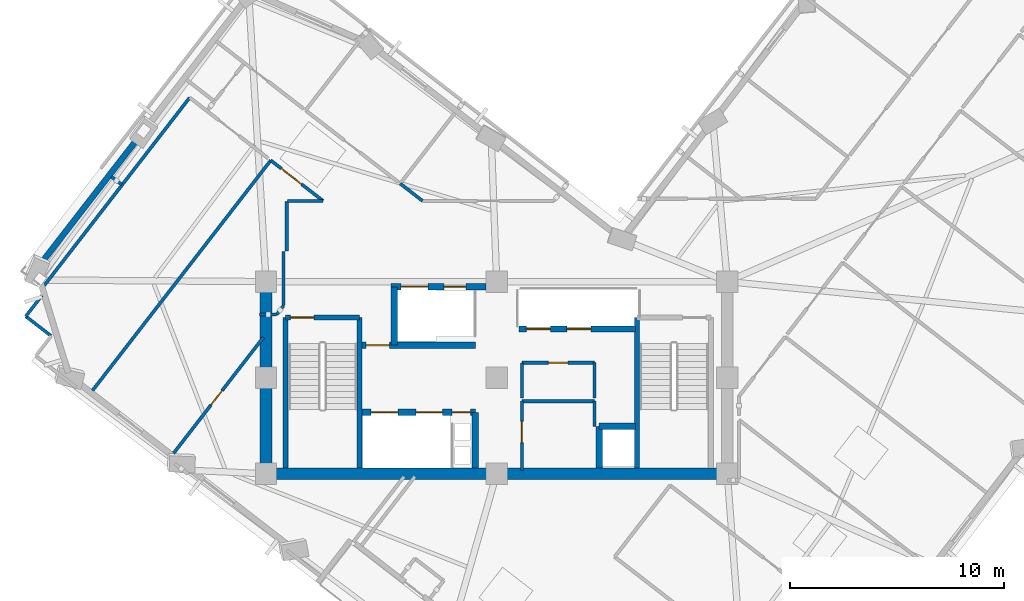
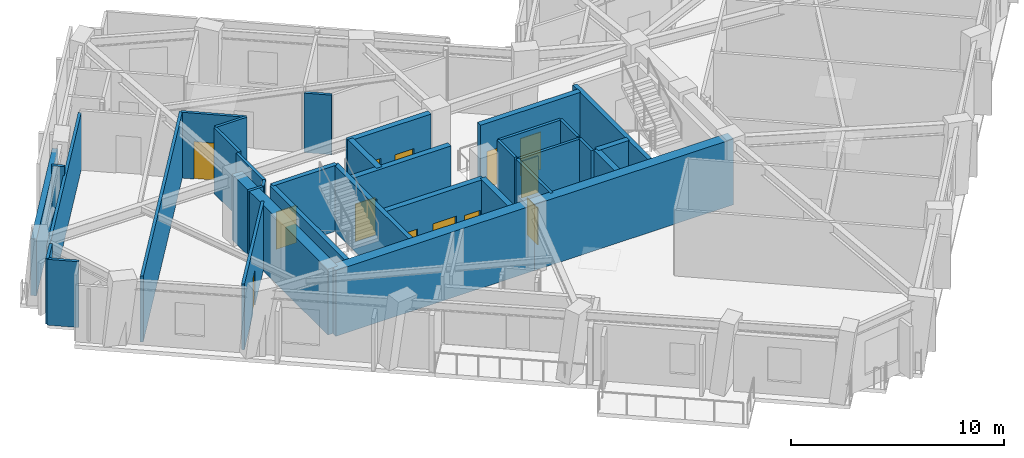
# One storey, part 4 of 12: 35 walls, 13 doors, 13 openings.
"""IFC4 building model written with IfcOpenShell, lengths in metres."""

from ifc_helpers import new_model, si_unit, direction, frame, frame_2d, origin, place, context, subcontext, project, spatial, rectangle, extrude, material, layer, layer_set, type_object, element, fill, save


model = new_model("IFC4")

# Units and contexts
model_context = context("Model", 3, precision=1e-05, world=origin(), true_north=direction((0.0, 1.0)))
body_context = subcontext(model_context, "Body", "Model", "MODEL_VIEW")
ifc_project = project(units=[si_unit("LENGTHUNIT", "METRE"), si_unit("AREAUNIT", "SQUARE_METRE"), si_unit("VOLUMEUNIT", "CUBIC_METRE"), si_unit("PLANEANGLEUNIT", "RADIAN"), si_unit("MASSUNIT", "GRAM", prefix="KILO")], contexts=[model_context])

# Site, building, storey
site_placement = place(None, origin())
site = spatial("IfcSite", under=ifc_project, at=site_placement, CompositionType="ELEMENT")
building_placement = place(site_placement, origin())
building = spatial("IfcBuilding", under=site, at=building_placement, Name="Gaonmaruhae Medical Tower", CompositionType="ELEMENT")
storey_placement = place(building_placement, frame((0.0, 0.0, 247.199951171875)))
storey = spatial("IfcBuildingStorey", under=building, at=storey_placement, Name="L59", CompositionType="ELEMENT", Elevation=247.199951171875)

# Walls
ifc_material_1 = material(Name="Concrete C50/60", Category="concrete")
ifc_layer_1 = layer(ifc_material_1, 0.550048828125)
ifc_layer_set_1 = layer_set([ifc_layer_1], Name="Concrete C50/60")
wall_type_1 = type_object("IfcWallType", Name="CW-550 Mid-High Core Shear Wall", PredefinedType="SHEAR", material=ifc_layer_set_1)
for number, where, z_axis, x_axis, name in (
    (1, (14.0, 7.800048828125, 0.0), (0.0, 0.0, 1.0), (1.0, 0.0, 0.0), "L59 Core Shear Wall CSW-S1"),
    (2, (24.800048828125, 7.800048828125, 0.0), (0.0, 0.0, 1.0), (1.0, 0.0, 0.0), "L59 Core Shear Wall CSW-S2"),
):
    element("IfcWall", number, at=place(storey_placement, frame(where, z_axis=z_axis, x_axis=x_axis)), inside=storey, type_object=wall_type_1, Name=name, PredefinedType="SHEAR", context=body_context, shape_type="SweptSolid", body=[
        extrude(rectangle(XDim=10.800048828125, YDim=0.550048828125, at=frame_2d((5.39990234375, 0.0))), origin(), (0.0, 0.0, 1.0), 3.780029296875),
    ])
wall_1_placement = place(storey_placement, frame((14.0, 16.800048828125, 0.0), z_axis=(0.0, 0.0, 1.0), x_axis=(0.0, -1.0, 0.0)))
element("IfcWall", 3, at=wall_1_placement, inside=storey, type_object=wall_type_1, Name="L59 Core Shear Wall CSW-W1", PredefinedType="SHEAR", context=body_context, shape_type="SweptSolid", body=[
    extrude(rectangle(XDim=9.0, YDim=0.550048828125, at=frame_2d((4.5, 0.0))), origin(), (0.0, 0.0, 1.0), 3.780029296875),
])
ifc_material_2 = material(Name="Precast concrete C45/55", Category="concrete")
ifc_layer_2 = layer(ifc_material_2, 0.280029296875)
ifc_layer_set_2 = layer_set([ifc_layer_2], Name="Precast concrete C45/55")
wall_type_2 = type_object("IfcWallType", Name="EW-280 Upper Precast Masonry-Frame Facade Wall", PredefinedType="SOLIDWALL", material=ifc_layer_set_2)
wall_2_placement = place(storey_placement, frame((3.363525390625, 17.518798828125, 0.0), z_axis=(0.0, 0.0, 1.0), x_axis=(0.612209375749, 0.790695693832, 0.0)))
element("IfcWall", 4, at=wall_2_placement, inside=storey, type_object=wall_type_2, Name="L59 Precast Masonry-Frame Wall N02-N03", PredefinedType="SOLIDWALL", context=body_context, shape_type="SweptSolid", body=[
    extrude(rectangle(XDim=7.48486328125, YDim=0.280029296875, at=frame_2d((3.742431640625, 0.0))), origin(), (0.0, 0.0, 1.0), 3.26513671875),
])

# Wall, opening, door
ifc_material_3 = material(Name="Gypsum board partition", Category="gypsum")
ifc_layer_3 = layer(ifc_material_3, 0.14990234375)
ifc_layer_set_3 = layer_set([ifc_layer_3], Name="Gypsum board partition")
wall_type_3 = type_object("IfcWallType", Name="PW-150 Rated Clinical Corridor Partition", PredefinedType="PARTITIONING", material=ifc_layer_set_3)
wall_3_placement = place(storey_placement, frame((25.97998046875, 7.9599609375, 0.0), z_axis=(0.0, 0.0, 1.0), x_axis=(0.0, 1.0, 0.0)))
wall_3 = element("IfcWall", 5, at=wall_3_placement, inside=storey, type_object=wall_type_3, Name="L59 Interior Partition L59-RCL1-1", PredefinedType="PARTITIONING", context=body_context, shape_type="SweptSolid", body=[
    extrude(rectangle(XDim=3.239990234375, YDim=0.14990234375, at=frame_2d((1.6201171875, 0.0))), origin(), (0.0, 0.0, 1.0), 3.780029296875),
])
opening_1_placement = place(wall_3_placement, frame((1.294921875, 0.0, 0.0)))
opening_1 = element("IfcOpeningElement", 6, at=opening_1_placement, cuts=wall_3, Name="Opening CD-01", PredefinedType="OPENING", context=body_context, shape_type="SweptSolid", body=[
    extrude(rectangle(XDim=1.0, YDim=2.1201171875, at=frame_2d((0.5, 1.06005859375))), frame((0.0, 0.0849609375, 0.0), z_axis=(0.0, -1.0, 0.0), x_axis=(1.0, 0.0, 0.0)), (0.0, 0.0, 1.0), 0.169921875),
])
ifc_material_4 = material(Name="Antimicrobial laminate timber fire door", Category="wood")
door_type_1 = type_object("IfcDoorType", Name="CD-01 Consultation & Physician Office Door 1000x2120", OperationType="NOTDEFINED", PredefinedType="DOOR", material=ifc_material_4)
door_1_placement = place(opening_1_placement, origin())
door_1 = element("IfcDoor", 7, at=door_1_placement, inside=storey, type_object=door_type_1, Name="L59 Clinical Telemetry and Medication Room Door", OperationType="SINGLE_SWING_LEFT", OverallHeight=2.1201171875, OverallWidth=1.0, PredefinedType="DOOR", context=body_context, shape_type="SweptSolid", body=[
    extrude(rectangle(XDim=1.0, YDim=2.1201171875, at=frame_2d((0.5, 1.06005859375))), frame((0.0, 0.02490234375, 0.0), z_axis=(0.0, -1.0, 0.0), x_axis=(1.0, 0.0, 0.0)), (0.0, 0.0, 1.0), 0.050048828125),
])
fill(opening_1, door_1)

# Walls
wall_4_placement = place(storey_placement, frame((25.97998046875, 11.199951171875, 0.0), z_axis=(0.0, 0.0, 1.0), x_axis=(1.0, 0.0, 0.0)))
element("IfcWall", 8, at=wall_4_placement, inside=storey, type_object=wall_type_3, Name="L59 Interior Partition L59-RCL1-2", PredefinedType="PARTITIONING", context=body_context, shape_type="SweptSolid", body=[
    extrude(rectangle(XDim=3.39990234375, YDim=0.14990234375, at=frame_2d((1.699951171875, 0.0))), origin(), (0.0, 0.0, 1.0), 3.780029296875),
])
wall_5_placement = place(storey_placement, frame((29.3798828125, 11.199951171875, 0.0), z_axis=(0.0, 0.0, 1.0), x_axis=(0.0, -1.0, 0.0)))
element("IfcWall", 9, at=wall_5_placement, inside=storey, type_object=wall_type_3, Name="L59 Interior Partition L59-RCL1-3", PredefinedType="PARTITIONING", context=body_context, shape_type="SweptSolid", body=[
    extrude(rectangle(XDim=1.179931640625, YDim=0.14990234375, at=frame_2d((0.58984375, 0.0))), origin(), (0.0, 0.0, 1.0), 3.780029296875),
])
wall_6_placement = place(storey_placement, frame((25.97998046875, 11.360107421875, 0.0), z_axis=(0.0, 0.0, 1.0), x_axis=(0.0, 1.0, 0.0)))
element("IfcWall", 10, at=wall_6_placement, inside=storey, type_object=wall_type_3, Name="L59 Interior Partition L59-CS1-4", PredefinedType="PARTITIONING", context=body_context, shape_type="SweptSolid", body=[
    extrude(rectangle(XDim=1.639892578125, YDim=0.14990234375, at=frame_2d((0.81982421875, 0.0))), origin(), (0.0, 0.0, 1.0), 3.780029296875),
])

# Wall, opening, door
wall_7_placement = place(storey_placement, frame((25.97998046875, 13.0, 0.0), z_axis=(0.0, 0.0, 1.0), x_axis=(1.0, 0.0, 0.0)))
wall_7 = element("IfcWall", 11, at=wall_7_placement, inside=storey, type_object=wall_type_3, Name="L59 Interior Partition L59-CS1-5", PredefinedType="PARTITIONING", context=body_context, shape_type="SweptSolid", body=[
    extrude(rectangle(XDim=3.39990234375, YDim=0.14990234375, at=frame_2d((1.699951171875, 0.0))), origin(), (0.0, 0.0, 1.0), 3.780029296875),
])
opening_2_placement = place(wall_7_placement, frame((1.239990234375, 0.0, 0.0)))
opening_2 = element("IfcOpeningElement", 12, at=opening_2_placement, cuts=wall_7, Name="Opening UD-01", PredefinedType="OPENING", context=body_context, shape_type="SweptSolid", body=[
    extrude(rectangle(XDim=0.919921875, YDim=2.10009765625, at=frame_2d((0.4599609375, 1.050048828125))), frame((0.0, 0.0849609375, 0.0), z_axis=(0.0, -1.0, 0.0), x_axis=(1.0, 0.0, 0.0)), (0.0, 0.0, 1.0), 0.169921875),
])
ifc_material_5 = material(Name="Powder-coated steel utility door", Category="steel")
door_type_2 = type_object("IfcDoorType", Name="UD-01 Toilet, Utility & Housekeeping Door 920x2100", OperationType="NOTDEFINED", PredefinedType="DOOR", material=ifc_material_5)
door_2_placement = place(opening_2_placement, origin())
door_2 = element("IfcDoor", 13, at=door_2_placement, inside=storey, type_object=door_type_2, Name="L59 Accessible Staff Toilet Door", OperationType="SINGLE_SWING_RIGHT", OverallHeight=2.10009765625, OverallWidth=0.919921875, PredefinedType="DOOR", context=body_context, shape_type="SweptSolid", body=[
    extrude(rectangle(XDim=0.919921875, YDim=2.10009765625, at=frame_2d((0.4599609375, 1.050048828125))), frame((0.0, 0.02490234375, 0.0), z_axis=(0.0, -1.0, 0.0), x_axis=(1.0, 0.0, 0.0)), (0.0, 0.0, 1.0), 0.050048828125),
])
fill(opening_2, door_2)

# Wall
wall_8_placement = place(storey_placement, frame((29.3798828125, 13.0, 0.0), z_axis=(0.0, 0.0, 1.0), x_axis=(0.0, -1.0, 0.0)))
element("IfcWall", 14, at=wall_8_placement, inside=storey, type_object=wall_type_3, Name="L59 Interior Partition L59-CS1-6", PredefinedType="PARTITIONING", context=body_context, shape_type="SweptSolid", body=[
    extrude(rectangle(XDim=1.639892578125, YDim=0.14990234375, at=frame_2d((0.81982421875, 0.0))), origin(), (0.0, 0.0, 1.0), 3.780029296875),
])

# Wall, opening, door
wall_9_placement = place(storey_placement, frame((9.669921875, 8.758056640625, 0.0), z_axis=(0.0, 0.0, 1.0), x_axis=(0.612219073781, 0.790688184874, 0.0)))
wall_9 = element("IfcWall", 15, at=wall_9_placement, inside=storey, type_object=wall_type_3, Name="L59 Interior Partition L59-WOF14-47", PredefinedType="PARTITIONING", context=body_context, shape_type="SweptSolid", body=[
    extrude(rectangle(XDim=6.86865234375, YDim=0.14990234375, at=frame_2d((3.434326171875, 0.0))), origin(), (0.0, 0.0, 1.0), 3.780029296875),
])
opening_3_placement = place(wall_9_placement, frame((2.861328125, 0.0, 0.0)))
opening_3 = element("IfcOpeningElement", 16, at=opening_3_placement, cuts=wall_9, Name="Opening AD-01", PredefinedType="OPENING", context=body_context, shape_type="SweptSolid", body=[
    extrude(rectangle(XDim=0.860107421875, YDim=2.06005859375, at=frame_2d((0.43017578125, 1.030029296875))), frame((0.0, 0.0849609375, 0.0), z_axis=(0.0, -1.0, 0.0), x_axis=(1.0, 0.0, 0.0)), (0.0, 0.0, 1.0), 0.169921875),
])
ifc_material_6 = material(Name="Powder-coated steel access door", Category="steel")
door_type_3 = type_object("IfcDoorType", Name="AD-01 Riser & Closet Access Fire Door 860x2060", OperationType="NOTDEFINED", PredefinedType="DOOR", material=ifc_material_6)
door_3_placement = place(opening_3_placement, origin())
door_3 = element("IfcDoor", 17, at=door_3_placement, inside=storey, type_object=door_type_3, Name="L59 Ward Physician Reporting Office Sliding Door", OperationType="SLIDING_TO_LEFT", OverallHeight=2.06005859375, OverallWidth=0.860107421875, PredefinedType="DOOR", context=body_context, shape_type="SweptSolid", body=[
    extrude(rectangle(XDim=0.860107421875, YDim=2.06005859375, at=frame_2d((0.43017578125, 1.030029296875))), frame((0.0, 0.02490234375, 0.0), z_axis=(0.0, -1.0, 0.0), x_axis=(1.0, 0.0, 0.0)), (0.0, 0.0, 1.0), 0.050048828125),
])
fill(opening_3, door_3)

# Walls
wall_10_placement = place(storey_placement, frame((14.969970703125, 20.550048828125, 0.0), z_axis=(0.0, 0.0, 1.0), x_axis=(0.0, -1.0, 0.0)))
element("IfcWall", 18, at=wall_10_placement, inside=storey, type_object=wall_type_3, Name="L59 Interior Partition L59-WOF15-48", PredefinedType="PARTITIONING", context=body_context, shape_type="SweptSolid", body=[
    extrude(rectangle(XDim=2.320068359375, YDim=0.14990234375, at=frame_2d((1.16015625, 0.0))), origin(), (0.0, 0.0, 1.0), 3.780029296875),
])
wall_11_placement = place(storey_placement, frame((14.820068359375, 18.199951171875, 0.0), z_axis=(0.0, 0.0, 1.0), x_axis=(0.0, -1.0, 0.0)))
element("IfcWall", 19, at=wall_11_placement, inside=storey, type_object=wall_type_3, Name="L59 Interior Partition L59-WOF15-49", PredefinedType="PARTITIONING", context=body_context, shape_type="SweptSolid", body=[
    extrude(rectangle(XDim=2.529052734375, YDim=0.14990234375, at=frame_2d((1.2646484375, 0.0))), origin(), (0.0, 0.0, 1.0), 3.780029296875),
])
wall_12_placement = place(storey_placement, frame((14.820068359375, 15.6708984375, 0.0), z_axis=(0.0, 0.0, 1.0), x_axis=(-0.612182668934, -0.790716371309, 0.0)))
element("IfcWall", 20, at=wall_12_placement, inside=storey, type_object=wall_type_3, Name="L59 Interior Partition L59-WOF15-50", PredefinedType="PARTITIONING", context=body_context, shape_type="SweptSolid", body=[
    extrude(rectangle(XDim=0.51953125, YDim=0.14990234375, at=frame_2d((0.259765625, 0.0))), origin(), (0.0, 0.0, 1.0), 3.780029296875),
])
wall_13_placement = place(storey_placement, frame((14.501953125, 15.260009765625, 0.0), z_axis=(0.0, 0.0, 1.0), x_axis=(-1.0, 0.0, 0.0)))
element("IfcWall", 21, at=wall_13_placement, inside=storey, type_object=wall_type_3, Name="L59 Interior Partition L59-WOF15-51", PredefinedType="PARTITIONING", context=body_context, shape_type="SweptSolid", body=[
    extrude(rectangle(XDim=0.802001953125, YDim=0.14990234375, at=frame_2d((0.40087890625, 0.0))), origin(), (0.0, 0.0, 1.0), 3.780029296875),
])
wall_14_placement = place(storey_placement, frame((5.8740234375, 11.697021484375, 0.0), z_axis=(0.0, 0.0, 1.0), x_axis=(0.612268172049, 0.790650166316, 0.0)))
element("IfcWall", 22, at=wall_14_placement, inside=storey, type_object=wall_type_3, Name="L59 Interior Partition L59-WOF15-52", PredefinedType="PARTITIONING", context=body_context, shape_type="SweptSolid", body=[
    extrude(rectangle(XDim=13.63427734375, YDim=0.14990234375, at=frame_2d((6.817138671875, 0.0))), origin(), (0.0, 0.0, 1.0), 3.780029296875),
])

# Wall, opening, door
wall_15_placement = place(storey_placement, frame((14.221923828125, 22.47705078125, 0.0), z_axis=(0.0, 0.0, 1.0), x_axis=(0.790834390633, -0.612030200719, 0.0)))
wall_15 = element("IfcWall", 23, at=wall_15_placement, inside=storey, type_object=wall_type_3, Name="L59 Interior Partition L59-WOF15-53", PredefinedType="PARTITIONING", context=body_context, shape_type="SweptSolid", body=[
    extrude(rectangle(XDim=3.099365234375, YDim=0.14990234375, at=frame_2d((1.5498046875, 0.0))), origin(), (0.0, 0.0, 1.0), 3.780029296875),
])
opening_4_placement = place(wall_15_placement, frame((0.628173828125, 0.0, 0.0)))
opening_4 = element("IfcOpeningElement", 24, at=opening_4_placement, cuts=wall_15, Name="Opening CD-02", PredefinedType="OPENING", context=body_context, shape_type="SweptSolid", body=[
    extrude(rectangle(XDim=1.199951171875, YDim=2.14990234375, at=frame_2d((0.60009765625, 1.074951171875))), frame((0.0, 0.0849609375, 0.0), z_axis=(0.0, -1.0, 0.0), x_axis=(1.0, 0.0, 0.0)), (0.0, 0.0, 1.0), 0.169921875),
])
door_type_4 = type_object("IfcDoorType", Name="CD-02 Clinical Treatment & Procedure Door 1200x2150", OperationType="NOTDEFINED", PredefinedType="DOOR", material=ifc_material_4)
door_4_placement = place(opening_4_placement, origin())
door_4 = element("IfcDoor", 25, at=door_4_placement, inside=storey, type_object=door_type_4, Name="L59 Ward Physician Reporting Office Door", OperationType="SINGLE_SWING_RIGHT", OverallHeight=2.14990234375, OverallWidth=1.199951171875, PredefinedType="DOOR", context=body_context, shape_type="SweptSolid", body=[
    extrude(rectangle(XDim=1.199951171875, YDim=2.14990234375, at=frame_2d((0.60009765625, 1.074951171875))), frame((0.0, 0.02490234375, 0.0), z_axis=(0.0, -1.0, 0.0), x_axis=(1.0, 0.0, 0.0)), (0.0, 0.0, 1.0), 0.050048828125),
])
fill(opening_4, door_4)

# Walls
wall_16_placement = place(storey_placement, frame((16.673095703125, 20.580078125, 0.0), z_axis=(0.0, 0.0, 1.0), x_axis=(-1.0, 0.0, 0.0)))
element("IfcWall", 26, at=wall_16_placement, inside=storey, type_object=wall_type_3, Name="L59 Interior Partition L59-WOF15-54", PredefinedType="PARTITIONING", context=body_context, shape_type="SweptSolid", body=[
    extrude(rectangle(XDim=1.676025390625, YDim=0.14990234375, at=frame_2d((0.837890625, 0.0))), origin(), (0.0, 0.0, 1.0), 3.780029296875),
])
wall_17_placement = place(storey_placement, frame((2.748046875, 15.173095703125, 0.0), z_axis=(0.0, 0.0, 1.0), x_axis=(0.612725563418, 0.790295757255, 0.0)))
element("IfcWall", 27, at=wall_17_placement, inside=storey, type_object=wall_type_3, Name="L59 Interior Partition L59-WOF16-55", PredefinedType="PARTITIONING", context=body_context, shape_type="SweptSolid", body=[
    extrude(rectangle(XDim=1.23876953125, YDim=0.14990234375, at=frame_2d((0.619384765625, 0.0))), origin(), (0.0, 0.0, 1.0), 3.780029296875),
])
wall_18_placement = place(storey_placement, frame((3.60791015625, 16.60791015625, 0.0), z_axis=(0.0, 0.0, 1.0), x_axis=(0.612168330421, 0.790727472161, 0.0)))
element("IfcWall", 28, at=wall_18_placement, inside=storey, type_object=wall_type_3, Name="L59 Interior Partition L59-WOF16-56", PredefinedType="PARTITIONING", context=body_context, shape_type="SweptSolid", body=[
    extrude(rectangle(XDim=11.13916015625, YDim=0.14990234375, at=frame_2d((5.569580078125, 0.0))), origin(), (0.0, 0.0, 1.0), 3.26513671875),
])
wall_19_placement = place(storey_placement, frame((3.93505859375, 14.25390625, 0.0), z_axis=(0.0, 0.0, 1.0), x_axis=(-0.790655142264, 0.612261746324, 0.0)))
element("IfcWall", 29, at=wall_19_placement, inside=storey, type_object=wall_type_3, Name="L59 Interior Partition L59-WOF16-60", PredefinedType="PARTITIONING", context=body_context, shape_type="SweptSolid", body=[
    extrude(rectangle(XDim=1.501220703125, YDim=0.14990234375, at=frame_2d((0.75048828125, 0.0))), origin(), (0.0, 0.0, 1.0), 3.780029296875),
])
wall_20_placement = place(storey_placement, frame((21.327880859375, 20.580078125, 0.0), z_axis=(0.0, 0.0, 1.0), x_axis=(-0.79085364938, 0.612005314733, 0.0)))
element("IfcWall", 30, at=wall_20_placement, inside=storey, type_object=wall_type_3, Name="L59 Interior Partition L59-IN01-82", PredefinedType="PARTITIONING", context=body_context, shape_type="SweptSolid", body=[
    extrude(rectangle(XDim=1.320068359375, YDim=0.14990234375, at=frame_2d((0.66015625, 0.0))), origin(), (0.0, 0.0, 1.0), 3.4150390625),
])
wall_21_placement = place(storey_placement, frame((7.24609375, 21.340087890625, 0.0), z_axis=(0.0, 0.0, 1.0), x_axis=(-0.790822733383, 0.61204526333, 0.0)))
element("IfcWall", 31, at=wall_21_placement, inside=storey, type_object=wall_type_3, Name="L59 Interior Partition L59-RM02-97", PredefinedType="PARTITIONING", context=body_context, shape_type="SweptSolid", body=[
    extrude(rectangle(XDim=0.615966796875, YDim=0.14990234375, at=frame_2d((0.30810546875, 0.0))), origin(), (0.0, 0.0, 1.0), 3.780029296875),
])

# Wall, opening, door
ifc_layer_4 = layer(ifc_material_1, 0.239990234375)
ifc_layer_set_4 = layer_set([ifc_layer_4], Name="Concrete C50/60")
wall_type_4 = type_object("IfcWallType", Name="SW-240 Dogleg Stair Tight Shaft Wall", PredefinedType="SOLIDWALL", material=ifc_layer_set_4)
wall_22_placement = place(storey_placement, frame((14.919921875, 15.1201171875, 0.0), z_axis=(0.0, 0.0, 1.0), x_axis=(1.0, 0.0, 0.0)))
wall_22 = element("IfcWall", 32, at=wall_22_placement, inside=storey, type_object=wall_type_4, Name="L59 ST-01 Stair Shaft Wall SHW-ST-01-N", PredefinedType="SOLIDWALL", context=body_context, shape_type="SweptSolid", body=[
    extrude(rectangle(XDim=3.4599609375, YDim=0.239990234375, at=frame_2d((1.72998046875, 0.0))), origin(), (0.0, 0.0, 1.0), 3.780029296875),
])
opening_5_placement = place(wall_22_placement, frame((0.219970703125, 0.0, 0.0)))
opening_5 = element("IfcOpeningElement", 33, at=opening_5_placement, cuts=wall_22, Name="Opening FD-01", PredefinedType="OPENING", context=body_context, shape_type="SweptSolid", body=[
    extrude(rectangle(XDim=1.10009765625, YDim=2.14990234375, at=frame_2d((0.550048828125, 1.074951171875))), frame((0.0, 0.1298828125, 0.0), z_axis=(0.0, -1.0, 0.0), x_axis=(1.0, 0.0, 0.0)), (0.0, 0.0, 1.0), 0.260009765625),
])
ifc_material_7 = material(Name="Powder-coated steel fire door", Category="steel")
door_type_5 = type_object("IfcDoorType", Name="FD-01 Escape Stair Protected Fire Door 1100x2150", OperationType="NOTDEFINED", PredefinedType="DOOR", material=ifc_material_7)
door_5_placement = place(opening_5_placement, origin())
door_5 = element("IfcDoor", 34, at=door_5_placement, inside=storey, type_object=door_type_5, Name="L59 ST-01 Protected Escape Stair Door", OperationType="SINGLE_SWING_LEFT", OverallHeight=2.14990234375, OverallWidth=1.10009765625, PredefinedType="DOOR", context=body_context, shape_type="SweptSolid", body=[
    extrude(rectangle(XDim=1.10009765625, YDim=2.14990234375, at=frame_2d((0.550048828125, 1.074951171875))), frame((0.0, 0.02490234375, 0.0), z_axis=(0.0, -1.0, 0.0), x_axis=(1.0, 0.0, 0.0)), (0.0, 0.0, 1.0), 0.050048828125),
])
fill(opening_5, door_5)

# Walls
for number, where, z_axis, x_axis, name in (
    (35, (18.3798828125, 15.1201171875, 0.0), (0.0, 0.0, 1.0), (0.0, -1.0, 0.0), "L59 ST-01 Stair Shaft Wall SHW-ST-01-E"),
    (36, (14.919921875, 8.074951171875, 0.0), (0.0, 0.0, 1.0), (0.0, 1.0, 0.0), "L59 ST-01 Stair Shaft Wall SHW-ST-01-W"),
    (37, (31.3701171875, 8.074951171875, 0.0), (0.0, 0.0, 1.0), (0.0, 1.0, 0.0), "L59 ST-02 Stair Shaft Wall SHW-ST-02-W"),
):
    element("IfcWall", number, at=place(storey_placement, frame(where, z_axis=z_axis, x_axis=x_axis)), inside=storey, type_object=wall_type_4, Name=name, PredefinedType="SOLIDWALL", context=body_context, shape_type="SweptSolid", body=[
        extrude(rectangle(XDim=7.045166015625, YDim=0.239990234375, at=frame_2d((3.5224609375, 0.0))), origin(), (0.0, 0.0, 1.0), 3.780029296875),
    ])

# Wall, openings, doors
ifc_layer_5 = layer(ifc_material_1, 0.300048828125)
ifc_layer_set_5 = layer_set([ifc_layer_5], Name="Concrete C50/60")
wall_type_5 = type_object("IfcWallType", Name="SW-300 Stair & Lift Hoistway Shaft Wall", PredefinedType="SOLIDWALL", material=ifc_layer_set_5)
wall_23_placement = place(storey_placement, frame((19.85009765625, 16.550048828125, 0.0), z_axis=(0.0, 0.0, 1.0), x_axis=(1.0, 0.0, 0.0)))
wall_23 = element("IfcWall", 38, at=wall_23_placement, inside=storey, type_object=wall_type_5, Name="L59 Core Shear Wall CSW-NB", PredefinedType="SOLIDWALL", context=body_context, shape_type="SweptSolid", body=[
    extrude(rectangle(XDim=4.449951171875, YDim=0.300048828125, at=frame_2d((2.22509765625, 0.0))), origin(), (0.0, 0.0, 1.0), 3.780029296875),
])
opening_6_placement = place(wall_23_placement, frame((0.47509765625, 0.0, 0.0)))
opening_6 = element("IfcOpeningElement", 39, at=opening_6_placement, cuts=wall_23, Name="Opening LD-F1", PredefinedType="OPENING", context=body_context, shape_type="SweptSolid", body=[
    extrude(rectangle(XDim=1.25, YDim=2.179931640625, at=frame_2d((0.625, 1.08984375))), frame((0.0, 0.16015625, 0.0), z_axis=(0.0, -1.0, 0.0), x_axis=(1.0, 0.0, 0.0)), (0.0, 0.0, 1.0), 0.320068359375),
])
opening_7_placement = place(wall_23_placement, frame((2.489990234375, 0.0, 0.0)))
opening_7 = element("IfcOpeningElement", 40, at=opening_7_placement, cuts=wall_23, Name="Opening LD-S1", PredefinedType="OPENING", context=body_context, shape_type="SweptSolid", body=[
    extrude(rectangle(XDim=1.02001953125, YDim=2.1201171875, at=frame_2d((0.510009765625, 1.06005859375))), frame((0.0, 0.16015625, 0.0), z_axis=(0.0, -1.0, 0.0), x_axis=(1.0, 0.0, 0.0)), (0.0, 0.0, 1.0), 0.320068359375),
])
ifc_material_8 = material(Name="Brushed stainless steel 316L landing door", Category="steel")
door_type_6 = type_object("IfcDoorType", Name="LD-F1 Firefighting & Bed Lift Sliding Landing Door 1250x2180", OperationType="NOTDEFINED", PredefinedType="DOOR", material=ifc_material_8)
door_6_placement = place(opening_6_placement, origin())
door_6 = element("IfcDoor", 41, at=door_6_placement, inside=storey, type_object=door_type_6, Name="L59 Service/Bed Lift Landing Door BDL-01", OperationType="DOUBLE_DOOR_SLIDING", OverallHeight=2.179931640625, OverallWidth=1.25, PredefinedType="DOOR", context=body_context, shape_type="SweptSolid", body=[
    extrude(rectangle(XDim=1.25, YDim=2.179931640625, at=frame_2d((0.625, 1.08984375))), frame((0.0, 0.02490234375, 0.0), z_axis=(0.0, -1.0, 0.0), x_axis=(1.0, 0.0, 0.0)), (0.0, 0.0, 1.0), 0.050048828125),
])
fill(opening_6, door_6)
ifc_material_9 = material(Name="Brushed stainless steel 304 landing door", Category="steel")
door_type_7 = type_object("IfcDoorType", Name="LD-S1 Service Lift Sliding Landing Door 1020x2120", OperationType="NOTDEFINED", PredefinedType="DOOR", material=ifc_material_9)
door_7_placement = place(opening_7_placement, origin())
door_7 = element("IfcDoor", 42, at=door_7_placement, inside=storey, type_object=door_type_7, Name="L59 Service/Bed Lift Landing Door SVL-01", OperationType="SLIDING_TO_LEFT", OverallHeight=2.1201171875, OverallWidth=1.02001953125, PredefinedType="DOOR", context=body_context, shape_type="SweptSolid", body=[
    extrude(rectangle(XDim=1.02001953125, YDim=2.1201171875, at=frame_2d((0.510009765625, 1.06005859375))), frame((0.0, 0.02490234375, 0.0), z_axis=(0.0, -1.0, 0.0), x_axis=(1.0, 0.0, 0.0)), (0.0, 0.0, 1.0), 0.050048828125),
])
fill(opening_7, door_7)

wall_24_placement = place(storey_placement, frame((18.5, 10.679931640625, 0.0), z_axis=(0.0, 0.0, 1.0), x_axis=(1.0, 0.0, 0.0)))
wall_24 = element("IfcWall", 43, at=wall_24_placement, inside=storey, type_object=wall_type_5, Name="L59 Shaft Enclosure Wall SHW-FFN", PredefinedType="SOLIDWALL", context=body_context, shape_type="SweptSolid", body=[
    extrude(rectangle(XDim=5.300048828125, YDim=0.300048828125, at=frame_2d((2.64990234375, 0.0))), origin(), (0.0, 0.0, 1.0), 3.780029296875),
])
opening_8_placement = place(wall_24_placement, frame((4.219970703125, 0.0, 0.0)))
opening_8 = element("IfcOpeningElement", 44, at=opening_8_placement, cuts=wall_24, Name="Opening AD-01", PredefinedType="OPENING", context=body_context, shape_type="SweptSolid", body=[
    extrude(rectangle(XDim=0.860107421875, YDim=2.06005859375, at=frame_2d((0.43017578125, 1.030029296875))), frame((0.0, 0.16015625, 0.0), z_axis=(0.0, -1.0, 0.0), x_axis=(1.0, 0.0, 0.0)), (0.0, 0.0, 1.0), 0.320068359375),
])
opening_9_placement = place(wall_24_placement, frame((0.425048828125, 0.0, 0.0)))
opening_9 = element("IfcOpeningElement", 45, at=opening_9_placement, cuts=wall_24, Name="Opening LD-F1", PredefinedType="OPENING", context=body_context, shape_type="SweptSolid", body=[
    extrude(rectangle(XDim=1.25, YDim=2.179931640625, at=frame_2d((0.625, 1.08984375))), frame((0.0, 0.16015625, 0.0), z_axis=(0.0, -1.0, 0.0), x_axis=(1.0, 0.0, 0.0)), (0.0, 0.0, 1.0), 0.320068359375),
])
opening_10_placement = place(wall_24_placement, frame((2.52490234375, 0.0, 0.0)))
opening_10 = element("IfcOpeningElement", 46, at=opening_10_placement, cuts=wall_24, Name="Opening LD-F1", PredefinedType="OPENING", context=body_context, shape_type="SweptSolid", body=[
    extrude(rectangle(XDim=1.25, YDim=2.179931640625, at=frame_2d((0.625, 1.08984375))), frame((0.0, 0.16015625, 0.0), z_axis=(0.0, -1.0, 0.0), x_axis=(1.0, 0.0, 0.0)), (0.0, 0.0, 1.0), 0.320068359375),
])
door_8_placement = place(opening_8_placement, origin())
door_8 = element("IfcDoor", 47, at=door_8_placement, inside=storey, type_object=door_type_3, Name="L59 Medical Gas and MEP Riser Access Door", OperationType="SINGLE_SWING_RIGHT", OverallHeight=2.06005859375, OverallWidth=0.860107421875, PredefinedType="DOOR", context=body_context, shape_type="SweptSolid", body=[
    extrude(rectangle(XDim=0.860107421875, YDim=2.06005859375, at=frame_2d((0.43017578125, 1.030029296875))), frame((0.0, 0.02490234375, 0.0), z_axis=(0.0, -1.0, 0.0), x_axis=(1.0, 0.0, 0.0)), (0.0, 0.0, 1.0), 0.050048828125),
])
fill(opening_8, door_8)
door_9_placement = place(opening_9_placement, origin())
door_9 = element("IfcDoor", 48, at=door_9_placement, inside=storey, type_object=door_type_6, Name="L59 Firefighting Lift Landing Door FFL-01", OperationType="DOUBLE_DOOR_SLIDING", OverallHeight=2.179931640625, OverallWidth=1.25, PredefinedType="DOOR", context=body_context, shape_type="SweptSolid", body=[
    extrude(rectangle(XDim=1.25, YDim=2.179931640625, at=frame_2d((0.625, 1.08984375))), frame((0.0, 0.02490234375, 0.0), z_axis=(0.0, -1.0, 0.0), x_axis=(1.0, 0.0, 0.0)), (0.0, 0.0, 1.0), 0.050048828125),
])
fill(opening_9, door_9)
door_10_placement = place(opening_10_placement, origin())
door_10 = element("IfcDoor", 49, at=door_10_placement, inside=storey, type_object=door_type_6, Name="L59 Firefighting Lift Landing Door FFL-02", OperationType="DOUBLE_DOOR_SLIDING", OverallHeight=2.179931640625, OverallWidth=1.25, PredefinedType="DOOR", context=body_context, shape_type="SweptSolid", body=[
    extrude(rectangle(XDim=1.25, YDim=2.179931640625, at=frame_2d((0.625, 1.08984375))), frame((0.0, 0.02490234375, 0.0), z_axis=(0.0, -1.0, 0.0), x_axis=(1.0, 0.0, 0.0)), (0.0, 0.0, 1.0), 0.050048828125),
])
fill(opening_10, door_10)

# Wall, opening, door
wall_25_placement = place(storey_placement, frame((18.5, 13.820068359375, 0.0), z_axis=(0.0, 0.0, 1.0), x_axis=(1.0, 0.0, 0.0)))
wall_25 = element("IfcWall", 50, at=wall_25_placement, inside=storey, type_object=wall_type_5, Name="L59 Shaft Enclosure Wall SHW-FFL", PredefinedType="SOLIDWALL", context=body_context, shape_type="SweptSolid", body=[
    extrude(rectangle(XDim=5.300048828125, YDim=0.300048828125, at=frame_2d((2.64990234375, 0.0))), origin(), (0.0, 0.0, 1.0), 3.780029296875),
])
opening_11_placement = place(wall_25_placement, frame((0.179931640625, 0.0, 0.0)))
opening_11 = element("IfcOpeningElement", 51, at=opening_11_placement, cuts=wall_25, Name="Opening FD-01", PredefinedType="OPENING", context=body_context, shape_type="SweptSolid", body=[
    extrude(rectangle(XDim=1.10009765625, YDim=2.14990234375, at=frame_2d((0.550048828125, 1.074951171875))), frame((0.0, 0.16015625, 0.0), z_axis=(0.0, -1.0, 0.0), x_axis=(1.0, 0.0, 0.0)), (0.0, 0.0, 1.0), 0.320068359375),
])
door_11_placement = place(opening_11_placement, origin())
door_11 = element("IfcDoor", 52, at=door_11_placement, inside=storey, type_object=door_type_5, Name="L59 Firefighting Lobby Smoke Door", OperationType="SINGLE_SWING_LEFT", OverallHeight=2.14990234375, OverallWidth=1.10009765625, PredefinedType="DOOR", context=body_context, shape_type="SweptSolid", body=[
    extrude(rectangle(XDim=1.10009765625, YDim=2.14990234375, at=frame_2d((0.550048828125, 1.074951171875))), frame((0.0, 0.02490234375, 0.0), z_axis=(0.0, -1.0, 0.0), x_axis=(1.0, 0.0, 0.0)), (0.0, 0.0, 1.0), 0.050048828125),
])
fill(opening_11, door_11)

# Walls
wall_26_placement = place(storey_placement, frame((23.800048828125, 8.074951171875, 0.0), z_axis=(0.0, 0.0, 1.0), x_axis=(0.0, 1.0, 0.0)))
element("IfcWall", 53, at=wall_26_placement, inside=storey, type_object=wall_type_5, Name="L59 Shaft Enclosure Wall SHW-FFE", PredefinedType="SOLIDWALL", context=body_context, shape_type="SweptSolid", body=[
    extrude(rectangle(XDim=2.60498046875, YDim=0.300048828125, at=frame_2d((1.302490234375, 0.0))), origin(), (0.0, 0.0, 1.0), 3.780029296875),
])
wall_27_placement = place(storey_placement, frame((20.0, 13.820068359375, 0.0), z_axis=(0.0, 0.0, 1.0), x_axis=(0.0, 1.0, 0.0)))
element("IfcWall", 54, at=wall_27_placement, inside=storey, type_object=wall_type_5, Name="L59 Shaft Enclosure Wall SHW-BDW", PredefinedType="SOLIDWALL", context=body_context, shape_type="SweptSolid", body=[
    extrude(rectangle(XDim=2.72998046875, YDim=0.300048828125, at=frame_2d((1.364990234375, 0.0))), origin(), (0.0, 0.0, 1.0), 3.780029296875),
])
wall_28_placement = place(storey_placement, frame((29.60009765625, 10.02001953125, 0.0), z_axis=(0.0, 0.0, 1.0), x_axis=(1.0, 0.0, 0.0)))
element("IfcWall", 55, at=wall_28_placement, inside=storey, type_object=wall_type_5, Name="L59 Shaft Enclosure Wall SHW-PLS", PredefinedType="SOLIDWALL", context=body_context, shape_type="SweptSolid", body=[
    extrude(rectangle(XDim=1.699951171875, YDim=0.300048828125, at=frame_2d((0.85009765625, 0.0))), origin(), (0.0, 0.0, 1.0), 3.780029296875),
])
wall_29_placement = place(storey_placement, frame((29.60009765625, 8.074951171875, 0.0), z_axis=(0.0, 0.0, 1.0), x_axis=(0.0, 1.0, 0.0)))
element("IfcWall", 56, at=wall_29_placement, inside=storey, type_object=wall_type_5, Name="L59 Shaft Enclosure Wall SHW-PLD1", PredefinedType="SOLIDWALL", context=body_context, shape_type="SweptSolid", body=[
    extrude(rectangle(XDim=1.945068359375, YDim=0.300048828125, at=frame_2d((0.97265625, 0.0))), origin(), (0.0, 0.0, 1.0), 3.780029296875),
])

# Wall, openings, doors
wall_30_placement = place(storey_placement, frame((25.85009765625, 14.580078125, 0.0), z_axis=(0.0, 0.0, 1.0), x_axis=(1.0, 0.0, 0.0)))
wall_30 = element("IfcWall", 57, at=wall_30_placement, inside=storey, type_object=wall_type_5, Name="L59 Shaft Enclosure Wall SHW-PLN", PredefinedType="SOLIDWALL", context=body_context, shape_type="SweptSolid", body=[
    extrude(rectangle(XDim=5.449951171875, YDim=0.300048828125, at=frame_2d((2.72509765625, 0.0))), origin(), (0.0, 0.0, 1.0), 3.780029296875),
])
opening_12_placement = place(wall_30_placement, frame((0.340087890625, 0.0, 0.0)))
opening_12 = element("IfcOpeningElement", 58, at=opening_12_placement, cuts=wall_30, Name="Opening LD-P1", PredefinedType="OPENING", context=body_context, shape_type="SweptSolid", body=[
    extrude(rectangle(XDim=1.1201171875, YDim=2.14990234375, at=frame_2d((0.56005859375, 1.074951171875))), frame((0.0, 0.16015625, 0.0), z_axis=(0.0, -1.0, 0.0), x_axis=(1.0, 0.0, 0.0)), (0.0, 0.0, 1.0), 0.320068359375),
])
opening_13_placement = place(wall_30_placement, frame((2.239990234375, 0.0, 0.0)))
opening_13 = element("IfcOpeningElement", 59, at=opening_13_placement, cuts=wall_30, Name="Opening LD-P1", PredefinedType="OPENING", context=body_context, shape_type="SweptSolid", body=[
    extrude(rectangle(XDim=1.1201171875, YDim=2.14990234375, at=frame_2d((0.56005859375, 1.074951171875))), frame((0.0, 0.16015625, 0.0), z_axis=(0.0, -1.0, 0.0), x_axis=(1.0, 0.0, 0.0)), (0.0, 0.0, 1.0), 0.320068359375),
])
door_type_8 = type_object("IfcDoorType", Name="LD-P1 Passenger Lift Sliding Landing Door 1120x2150", OperationType="NOTDEFINED", PredefinedType="DOOR", material=ifc_material_9)
door_12_placement = place(opening_12_placement, origin())
door_12 = element("IfcDoor", 60, at=door_12_placement, inside=storey, type_object=door_type_8, Name="L59 Passenger Lift Landing Door PL-M1", OperationType="DOUBLE_DOOR_SLIDING", OverallHeight=2.14990234375, OverallWidth=1.1201171875, PredefinedType="DOOR", context=body_context, shape_type="SweptSolid", body=[
    extrude(rectangle(XDim=1.1201171875, YDim=2.14990234375, at=frame_2d((0.56005859375, 1.074951171875))), frame((0.0, 0.02490234375, 0.0), z_axis=(0.0, -1.0, 0.0), x_axis=(1.0, 0.0, 0.0)), (0.0, 0.0, 1.0), 0.050048828125),
])
fill(opening_12, door_12)
door_13_placement = place(opening_13_placement, origin())
door_13 = element("IfcDoor", 61, at=door_13_placement, inside=storey, type_object=door_type_8, Name="L59 Passenger Lift Landing Door PL-M2", OperationType="DOUBLE_DOOR_SLIDING", OverallHeight=2.14990234375, OverallWidth=1.1201171875, PredefinedType="DOOR", context=body_context, shape_type="SweptSolid", body=[
    extrude(rectangle(XDim=1.1201171875, YDim=2.14990234375, at=frame_2d((0.56005859375, 1.074951171875))), frame((0.0, 0.02490234375, 0.0), z_axis=(0.0, -1.0, 0.0), x_axis=(1.0, 0.0, 0.0)), (0.0, 0.0, 1.0), 0.050048828125),
])
fill(opening_13, door_13)

save(model, "model.ifc")
